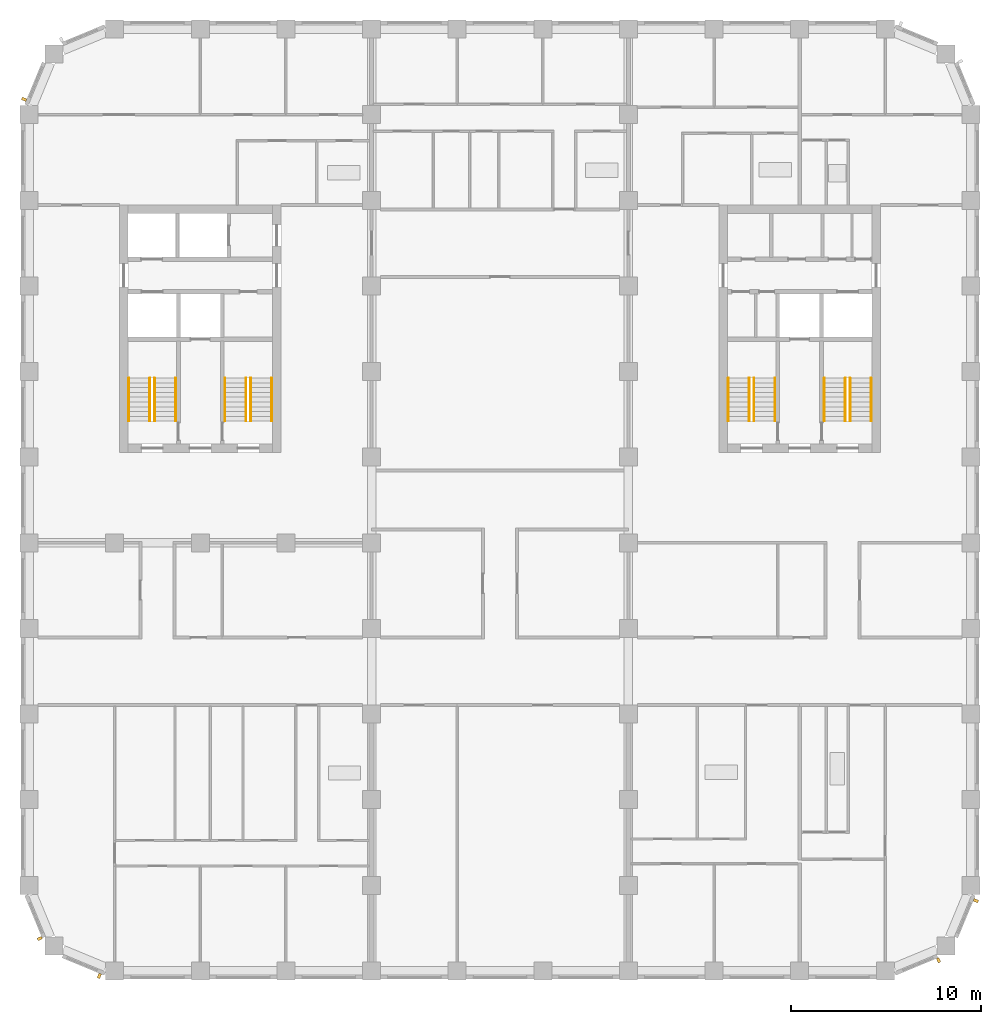
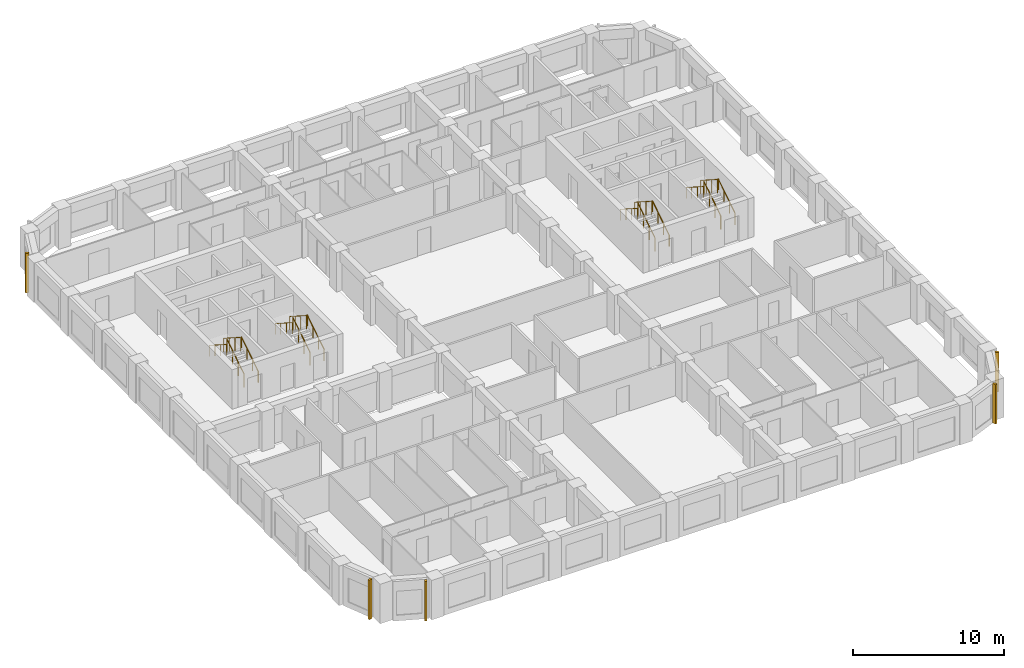
# One storey, part 11 of 13: 16 railings, 5 shading devices.
"""IFC4 building model written with IfcOpenShell, lengths in metres."""

from ifc_helpers import new_model, si_unit, direction, frame, origin, origin_2d, place, context, subcontext, project, spatial, rectangle, circle, extrude, material, type_object, element, save


model = new_model("IFC4")

# Units and contexts
model_context = context("Model", 3, precision=1e-05, world=origin(), true_north=direction((0.0, 1.0)))
body_context = subcontext(model_context, "Body", "Model", "MODEL_VIEW")
ifc_project = project(units=[si_unit("LENGTHUNIT", "METRE"), si_unit("AREAUNIT", "SQUARE_METRE"), si_unit("VOLUMEUNIT", "CUBIC_METRE"), si_unit("PLANEANGLEUNIT", "RADIAN"), si_unit("MASSUNIT", "GRAM", prefix="KILO")], contexts=[model_context])

# Site, building, storey
site_placement = place(None, origin())
site = spatial("IfcSite", under=ifc_project, at=site_placement, CompositionType="ELEMENT")
building_placement = place(site_placement, origin())
building = spatial("IfcBuilding", under=site, at=building_placement, Name="Girih Gate Residences", CompositionType="ELEMENT")
storey_placement = place(building_placement, frame((0.0, 0.0, 136.60009765625)))
storey = spatial("IfcBuildingStorey", under=building, at=storey_placement, Name="L38", CompositionType="ELEMENT", Elevation=136.60009765625)

# Shading devices
ifc_material_1 = material(Name="Precast concrete C50/60", Category="concrete")
shading_device_type = type_object("IfcShadingDeviceType", Name="Corner rib 150x250", PredefinedType="USERDEFINED", material=ifc_material_1)
for number, where, z_axis, x_axis, name in (
    (1, (0.562255859375, 1.705322265625, 0.0), (0.0, 0.0, 1.0), (0.382683432365, -0.923879532511, 0.0), "Corner rib SW0000_0045.0"),
    (2, (3.691650390625, -0.260498046875, 0.0), (0.0, 0.0, 1.0), (0.923879532511, -0.382683432365, 0.0), "Corner rib SW0013_0013.0"),
    (3, (47.794677734375, 0.562255859375, 0.0), (0.0, 0.0, 1.0), (0.923879532511, 0.382683432365, 0.0), "Corner rib SE0450_0000.0"),
    (4, (49.760498046875, 3.691650390625, 0.0), (0.0, 0.0, 1.0), (0.382683432365, 0.923879532511, 0.0), "Corner rib SE0482_0013.0"),
    (5, (-0.260498046875, 45.808349609375, 0.0), (0.0, 0.0, 1.0), (-0.382683432365, -0.923879532511, 0.0), "Corner rib NW0013_0482.0"),
):
    element("IfcShadingDevice", number, at=place(storey_placement, frame(where, z_axis=z_axis, x_axis=x_axis)), inside=storey, type_object=shading_device_type, Name=name, ObjectType="FIN", PredefinedType="USERDEFINED", context=body_context, shape_type="SweptSolid", body=[
        extrude(rectangle(XDim=0.14990234375, YDim=0.25, at=origin_2d()), origin(), (0.0, 0.0, 1.0), 3.199951171875),
    ])

# Railings
ifc_material_2 = material(Name="Stainless steel", Category="steel")
railing_type_1 = type_object("IfcRailingType", Name="Stair guard 1100", PredefinedType="GUARDRAIL", material=ifc_material_2)
railing_1_placement = place(storey_placement, frame((6.60009765625, 28.89990234375, 0.159912109375)))
element("IfcRailing", 6, at=railing_1_placement, inside=storey, type_object=railing_type_1, Name="L38 ST-W1 stair guard 1", PredefinedType="GUARDRAIL", context=body_context, shape_type="SweptSolid", body=[
    extrude(circle(Radius=0.02392578125, at=origin_2d()), frame((0.0, 0.0, 1.076171875), z_axis=(0.0, 0.842281359387, 0.539038135598), x_axis=(-1.0, 0.0, 0.0)), (0.0, 0.0, 1.0), 2.67138671875),
    extrude(circle(Radius=0.02099609375, at=origin_2d()), origin(), (0.0, 0.0, 1.0), 1.052001953125),
    extrude(circle(Radius=0.02099609375, at=origin_2d()), frame((0.0, 0.75, 0.47998046875)), (0.0, 0.0, 1.0), 1.052001953125),
    extrude(circle(Radius=0.02099609375, at=origin_2d()), frame((0.0, 1.5, 0.9599609375)), (0.0, 0.0, 1.0), 1.052001953125),
    extrude(circle(Radius=0.02099609375, at=origin_2d()), frame((0.0, 2.25, 1.43994140625)), (0.0, 0.0, 1.0), 1.052001953125),
])
railing_2_placement = place(storey_placement, frame((6.35009765625, 31.14990234375, 1.760009765625)))
element("IfcRailing", 7, at=railing_2_placement, inside=storey, type_object=railing_type_1, Name="L38 ST-W1 stair guard 2", PredefinedType="GUARDRAIL", context=body_context, shape_type="SweptSolid", body=[
    extrude(circle(Radius=0.02392578125, at=origin_2d()), frame((0.0, 0.0, 1.076171875), z_axis=(0.0, -0.842281359387, 0.539038135598), x_axis=(1.0, 0.0, 0.0)), (0.0, 0.0, 1.0), 2.67138671875),
    extrude(circle(Radius=0.02099609375, at=origin_2d()), origin(), (0.0, 0.0, 1.0), 1.052001953125),
    extrude(circle(Radius=0.02099609375, at=origin_2d()), frame((0.0, -0.75, 0.47998046875)), (0.0, 0.0, 1.0), 1.052001953125),
    extrude(circle(Radius=0.02099609375, at=origin_2d()), frame((0.0, -1.5, 0.9599609375)), (0.0, 0.0, 1.0), 1.052001953125),
    extrude(circle(Radius=0.02099609375, at=origin_2d()), frame((0.0, -2.25, 1.43994140625)), (0.0, 0.0, 1.0), 1.052001953125),
])
railing_3_placement = place(storey_placement, frame((11.64990234375, 28.89990234375, 0.159912109375)))
element("IfcRailing", 8, at=railing_3_placement, inside=storey, type_object=railing_type_1, Name="L38 ST-W2 stair guard 1", PredefinedType="GUARDRAIL", context=body_context, shape_type="SweptSolid", body=[
    extrude(circle(Radius=0.02392578125, at=origin_2d()), frame((0.0, 0.0, 1.076171875), z_axis=(0.0, 0.842281359387, 0.539038135598), x_axis=(-1.0, 0.0, 0.0)), (0.0, 0.0, 1.0), 2.67138671875),
    extrude(circle(Radius=0.02099609375, at=origin_2d()), origin(), (0.0, 0.0, 1.0), 1.052001953125),
    extrude(circle(Radius=0.02099609375, at=origin_2d()), frame((0.0, 0.75, 0.47998046875)), (0.0, 0.0, 1.0), 1.052001953125),
    extrude(circle(Radius=0.02099609375, at=origin_2d()), frame((0.0, 1.5, 0.9599609375)), (0.0, 0.0, 1.0), 1.052001953125),
    extrude(circle(Radius=0.02099609375, at=origin_2d()), frame((0.0, 2.25, 1.43994140625)), (0.0, 0.0, 1.0), 1.052001953125),
])
railing_4_placement = place(storey_placement, frame((11.39990234375, 31.14990234375, 1.760009765625)))
element("IfcRailing", 9, at=railing_4_placement, inside=storey, type_object=railing_type_1, Name="L38 ST-W2 stair guard 2", PredefinedType="GUARDRAIL", context=body_context, shape_type="SweptSolid", body=[
    extrude(circle(Radius=0.02392578125, at=origin_2d()), frame((0.0, 0.0, 1.076171875), z_axis=(0.0, -0.842281359387, 0.539038135598), x_axis=(1.0, 0.0, 0.0)), (0.0, 0.0, 1.0), 2.67138671875),
    extrude(circle(Radius=0.02099609375, at=origin_2d()), origin(), (0.0, 0.0, 1.0), 1.052001953125),
    extrude(circle(Radius=0.02099609375, at=origin_2d()), frame((0.0, -0.75, 0.47998046875)), (0.0, 0.0, 1.0), 1.052001953125),
    extrude(circle(Radius=0.02099609375, at=origin_2d()), frame((0.0, -1.5, 0.9599609375)), (0.0, 0.0, 1.0), 1.052001953125),
    extrude(circle(Radius=0.02099609375, at=origin_2d()), frame((0.0, -2.25, 1.43994140625)), (0.0, 0.0, 1.0), 1.052001953125),
])
railing_5_placement = place(storey_placement, frame((43.14990234375, 28.89990234375, 0.159912109375)))
element("IfcRailing", 10, at=railing_5_placement, inside=storey, type_object=railing_type_1, Name="L38 ST-E1 stair guard 1", PredefinedType="GUARDRAIL", context=body_context, shape_type="SweptSolid", body=[
    extrude(circle(Radius=0.02392578125, at=origin_2d()), frame((0.0, 0.0, 1.076171875), z_axis=(0.0, 0.842281359387, 0.539038135598), x_axis=(-1.0, 0.0, 0.0)), (0.0, 0.0, 1.0), 2.67138671875),
    extrude(circle(Radius=0.02099609375, at=origin_2d()), origin(), (0.0, 0.0, 1.0), 1.052001953125),
    extrude(circle(Radius=0.02099609375, at=origin_2d()), frame((0.0, 0.75, 0.47998046875)), (0.0, 0.0, 1.0), 1.052001953125),
    extrude(circle(Radius=0.02099609375, at=origin_2d()), frame((0.0, 1.5, 0.9599609375)), (0.0, 0.0, 1.0), 1.052001953125),
    extrude(circle(Radius=0.02099609375, at=origin_2d()), frame((0.0, 2.25, 1.43994140625)), (0.0, 0.0, 1.0), 1.052001953125),
])
railing_6_placement = place(storey_placement, frame((42.89990234375, 31.14990234375, 1.760009765625)))
element("IfcRailing", 11, at=railing_6_placement, inside=storey, type_object=railing_type_1, Name="L38 ST-E1 stair guard 2", PredefinedType="GUARDRAIL", context=body_context, shape_type="SweptSolid", body=[
    extrude(circle(Radius=0.02392578125, at=origin_2d()), frame((0.0, 0.0, 1.076171875), z_axis=(0.0, -0.842281359387, 0.539038135598), x_axis=(1.0, 0.0, 0.0)), (0.0, 0.0, 1.0), 2.67138671875),
    extrude(circle(Radius=0.02099609375, at=origin_2d()), origin(), (0.0, 0.0, 1.0), 1.052001953125),
    extrude(circle(Radius=0.02099609375, at=origin_2d()), frame((0.0, -0.75, 0.47998046875)), (0.0, 0.0, 1.0), 1.052001953125),
    extrude(circle(Radius=0.02099609375, at=origin_2d()), frame((0.0, -1.5, 0.9599609375)), (0.0, 0.0, 1.0), 1.052001953125),
    extrude(circle(Radius=0.02099609375, at=origin_2d()), frame((0.0, -2.25, 1.43994140625)), (0.0, 0.0, 1.0), 1.052001953125),
])
railing_7_placement = place(storey_placement, frame((38.10009765625, 28.89990234375, 0.159912109375)))
element("IfcRailing", 12, at=railing_7_placement, inside=storey, type_object=railing_type_1, Name="L38 ST-E2 stair guard 1", PredefinedType="GUARDRAIL", context=body_context, shape_type="SweptSolid", body=[
    extrude(circle(Radius=0.02392578125, at=origin_2d()), frame((0.0, 0.0, 1.076171875), z_axis=(0.0, 0.842281359387, 0.539038135598), x_axis=(-1.0, 0.0, 0.0)), (0.0, 0.0, 1.0), 2.67138671875),
    extrude(circle(Radius=0.02099609375, at=origin_2d()), origin(), (0.0, 0.0, 1.0), 1.052001953125),
    extrude(circle(Radius=0.02099609375, at=origin_2d()), frame((0.0, 0.75, 0.47998046875)), (0.0, 0.0, 1.0), 1.052001953125),
    extrude(circle(Radius=0.02099609375, at=origin_2d()), frame((0.0, 1.5, 0.9599609375)), (0.0, 0.0, 1.0), 1.052001953125),
    extrude(circle(Radius=0.02099609375, at=origin_2d()), frame((0.0, 2.25, 1.43994140625)), (0.0, 0.0, 1.0), 1.052001953125),
])
railing_8_placement = place(storey_placement, frame((37.85009765625, 31.14990234375, 1.760009765625)))
element("IfcRailing", 13, at=railing_8_placement, inside=storey, type_object=railing_type_1, Name="L38 ST-E2 stair guard 2", PredefinedType="GUARDRAIL", context=body_context, shape_type="SweptSolid", body=[
    extrude(circle(Radius=0.02392578125, at=origin_2d()), frame((0.0, 0.0, 1.076171875), z_axis=(0.0, -0.842281359387, 0.539038135598), x_axis=(1.0, 0.0, 0.0)), (0.0, 0.0, 1.0), 2.67138671875),
    extrude(circle(Radius=0.02099609375, at=origin_2d()), origin(), (0.0, 0.0, 1.0), 1.052001953125),
    extrude(circle(Radius=0.02099609375, at=origin_2d()), frame((0.0, -0.75, 0.47998046875)), (0.0, 0.0, 1.0), 1.052001953125),
    extrude(circle(Radius=0.02099609375, at=origin_2d()), frame((0.0, -1.5, 0.9599609375)), (0.0, 0.0, 1.0), 1.052001953125),
    extrude(circle(Radius=0.02099609375, at=origin_2d()), frame((0.0, -2.25, 1.43994140625)), (0.0, 0.0, 1.0), 1.052001953125),
])
railing_type_2 = type_object("IfcRailingType", Name="Stair handrail 900", PredefinedType="HANDRAIL", material=ifc_material_2)
railing_9_placement = place(storey_placement, frame((7.699951171875, 28.89990234375, 0.159912109375)))
element("IfcRailing", 14, at=railing_9_placement, inside=storey, type_object=railing_type_2, Name="L38 ST-W1 stair handrail 1", PredefinedType="HANDRAIL", context=body_context, shape_type="SweptSolid", body=[
    extrude(circle(Radius=0.02392578125, at=origin_2d()), frame((0.0, 0.0, 0.8857421875), z_axis=(0.0, 0.842281359387, 0.539038135598), x_axis=(-1.0, 0.0, 0.0)), (0.0, 0.0, 1.0), 2.67138671875),
    extrude(circle(Radius=0.02099609375, at=origin_2d()), origin(), (0.0, 0.0, 1.0), 0.86181640625),
    extrude(circle(Radius=0.02099609375, at=origin_2d()), frame((0.0, 0.75, 0.47998046875)), (0.0, 0.0, 1.0), 0.86181640625),
    extrude(circle(Radius=0.02099609375, at=origin_2d()), frame((0.0, 1.5, 0.9599609375)), (0.0, 0.0, 1.0), 0.86181640625),
    extrude(circle(Radius=0.02099609375, at=origin_2d()), frame((0.0, 2.25, 1.43994140625)), (0.0, 0.0, 1.0), 0.86181640625),
])
railing_10_placement = place(storey_placement, frame((5.25, 31.14990234375, 1.760009765625)))
element("IfcRailing", 15, at=railing_10_placement, inside=storey, type_object=railing_type_2, Name="L38 ST-W1 stair handrail 2", PredefinedType="HANDRAIL", context=body_context, shape_type="SweptSolid", body=[
    extrude(circle(Radius=0.02392578125, at=origin_2d()), frame((0.0, 0.0, 0.8857421875), z_axis=(0.0, -0.842281359387, 0.539038135598), x_axis=(1.0, 0.0, 0.0)), (0.0, 0.0, 1.0), 2.67138671875),
    extrude(circle(Radius=0.02099609375, at=origin_2d()), origin(), (0.0, 0.0, 1.0), 0.86181640625),
    extrude(circle(Radius=0.02099609375, at=origin_2d()), frame((0.0, -0.75, 0.47998046875)), (0.0, 0.0, 1.0), 0.86181640625),
    extrude(circle(Radius=0.02099609375, at=origin_2d()), frame((0.0, -1.5, 0.9599609375)), (0.0, 0.0, 1.0), 0.86181640625),
    extrude(circle(Radius=0.02099609375, at=origin_2d()), frame((0.0, -2.25, 1.43994140625)), (0.0, 0.0, 1.0), 0.86181640625),
])
railing_11_placement = place(storey_placement, frame((12.75, 28.89990234375, 0.159912109375)))
element("IfcRailing", 16, at=railing_11_placement, inside=storey, type_object=railing_type_2, Name="L38 ST-W2 stair handrail 1", PredefinedType="HANDRAIL", context=body_context, shape_type="SweptSolid", body=[
    extrude(circle(Radius=0.02392578125, at=origin_2d()), frame((0.0, 0.0, 0.8857421875), z_axis=(0.0, 0.842281359387, 0.539038135598), x_axis=(-1.0, 0.0, 0.0)), (0.0, 0.0, 1.0), 2.67138671875),
    extrude(circle(Radius=0.02099609375, at=origin_2d()), origin(), (0.0, 0.0, 1.0), 0.86181640625),
    extrude(circle(Radius=0.02099609375, at=origin_2d()), frame((0.0, 0.75, 0.47998046875)), (0.0, 0.0, 1.0), 0.86181640625),
    extrude(circle(Radius=0.02099609375, at=origin_2d()), frame((0.0, 1.5, 0.9599609375)), (0.0, 0.0, 1.0), 0.86181640625),
    extrude(circle(Radius=0.02099609375, at=origin_2d()), frame((0.0, 2.25, 1.43994140625)), (0.0, 0.0, 1.0), 0.86181640625),
])
railing_12_placement = place(storey_placement, frame((10.300048828125, 31.14990234375, 1.760009765625)))
element("IfcRailing", 17, at=railing_12_placement, inside=storey, type_object=railing_type_2, Name="L38 ST-W2 stair handrail 2", PredefinedType="HANDRAIL", context=body_context, shape_type="SweptSolid", body=[
    extrude(circle(Radius=0.02392578125, at=origin_2d()), frame((0.0, 0.0, 0.8857421875), z_axis=(0.0, -0.842281359387, 0.539038135598), x_axis=(1.0, 0.0, 0.0)), (0.0, 0.0, 1.0), 2.67138671875),
    extrude(circle(Radius=0.02099609375, at=origin_2d()), origin(), (0.0, 0.0, 1.0), 0.86181640625),
    extrude(circle(Radius=0.02099609375, at=origin_2d()), frame((0.0, -0.75, 0.47998046875)), (0.0, 0.0, 1.0), 0.86181640625),
    extrude(circle(Radius=0.02099609375, at=origin_2d()), frame((0.0, -1.5, 0.9599609375)), (0.0, 0.0, 1.0), 0.86181640625),
    extrude(circle(Radius=0.02099609375, at=origin_2d()), frame((0.0, -2.25, 1.43994140625)), (0.0, 0.0, 1.0), 0.86181640625),
])
railing_13_placement = place(storey_placement, frame((44.25, 28.89990234375, 0.159912109375)))
element("IfcRailing", 18, at=railing_13_placement, inside=storey, type_object=railing_type_2, Name="L38 ST-E1 stair handrail 1", PredefinedType="HANDRAIL", context=body_context, shape_type="SweptSolid", body=[
    extrude(circle(Radius=0.02392578125, at=origin_2d()), frame((0.0, 0.0, 0.8857421875), z_axis=(0.0, 0.842281359387, 0.539038135598), x_axis=(-1.0, 0.0, 0.0)), (0.0, 0.0, 1.0), 2.67138671875),
    extrude(circle(Radius=0.02099609375, at=origin_2d()), origin(), (0.0, 0.0, 1.0), 0.86181640625),
    extrude(circle(Radius=0.02099609375, at=origin_2d()), frame((0.0, 0.75, 0.47998046875)), (0.0, 0.0, 1.0), 0.86181640625),
    extrude(circle(Radius=0.02099609375, at=origin_2d()), frame((0.0, 1.5, 0.9599609375)), (0.0, 0.0, 1.0), 0.86181640625),
    extrude(circle(Radius=0.02099609375, at=origin_2d()), frame((0.0, 2.25, 1.43994140625)), (0.0, 0.0, 1.0), 0.86181640625),
])
railing_14_placement = place(storey_placement, frame((41.800048828125, 31.14990234375, 1.760009765625)))
element("IfcRailing", 19, at=railing_14_placement, inside=storey, type_object=railing_type_2, Name="L38 ST-E1 stair handrail 2", PredefinedType="HANDRAIL", context=body_context, shape_type="SweptSolid", body=[
    extrude(circle(Radius=0.02392578125, at=origin_2d()), frame((0.0, 0.0, 0.8857421875), z_axis=(0.0, -0.842281359387, 0.539038135598), x_axis=(1.0, 0.0, 0.0)), (0.0, 0.0, 1.0), 2.67138671875),
    extrude(circle(Radius=0.02099609375, at=origin_2d()), origin(), (0.0, 0.0, 1.0), 0.86181640625),
    extrude(circle(Radius=0.02099609375, at=origin_2d()), frame((0.0, -0.75, 0.47998046875)), (0.0, 0.0, 1.0), 0.86181640625),
    extrude(circle(Radius=0.02099609375, at=origin_2d()), frame((0.0, -1.5, 0.9599609375)), (0.0, 0.0, 1.0), 0.86181640625),
    extrude(circle(Radius=0.02099609375, at=origin_2d()), frame((0.0, -2.25, 1.43994140625)), (0.0, 0.0, 1.0), 0.86181640625),
])
railing_15_placement = place(storey_placement, frame((39.199951171875, 28.89990234375, 0.159912109375)))
element("IfcRailing", 20, at=railing_15_placement, inside=storey, type_object=railing_type_2, Name="L38 ST-E2 stair handrail 1", PredefinedType="HANDRAIL", context=body_context, shape_type="SweptSolid", body=[
    extrude(circle(Radius=0.02392578125, at=origin_2d()), frame((0.0, 0.0, 0.8857421875), z_axis=(0.0, 0.842281359387, 0.539038135598), x_axis=(-1.0, 0.0, 0.0)), (0.0, 0.0, 1.0), 2.67138671875),
    extrude(circle(Radius=0.02099609375, at=origin_2d()), origin(), (0.0, 0.0, 1.0), 0.86181640625),
    extrude(circle(Radius=0.02099609375, at=origin_2d()), frame((0.0, 0.75, 0.47998046875)), (0.0, 0.0, 1.0), 0.86181640625),
    extrude(circle(Radius=0.02099609375, at=origin_2d()), frame((0.0, 1.5, 0.9599609375)), (0.0, 0.0, 1.0), 0.86181640625),
    extrude(circle(Radius=0.02099609375, at=origin_2d()), frame((0.0, 2.25, 1.43994140625)), (0.0, 0.0, 1.0), 0.86181640625),
])
railing_16_placement = place(storey_placement, frame((36.75, 31.14990234375, 1.760009765625)))
element("IfcRailing", 21, at=railing_16_placement, inside=storey, type_object=railing_type_2, Name="L38 ST-E2 stair handrail 2", PredefinedType="HANDRAIL", context=body_context, shape_type="SweptSolid", body=[
    extrude(circle(Radius=0.02392578125, at=origin_2d()), frame((0.0, 0.0, 0.8857421875), z_axis=(0.0, -0.842281359387, 0.539038135598), x_axis=(1.0, 0.0, 0.0)), (0.0, 0.0, 1.0), 2.67138671875),
    extrude(circle(Radius=0.02099609375, at=origin_2d()), origin(), (0.0, 0.0, 1.0), 0.86181640625),
    extrude(circle(Radius=0.02099609375, at=origin_2d()), frame((0.0, -0.75, 0.47998046875)), (0.0, 0.0, 1.0), 0.86181640625),
    extrude(circle(Radius=0.02099609375, at=origin_2d()), frame((0.0, -1.5, 0.9599609375)), (0.0, 0.0, 1.0), 0.86181640625),
    extrude(circle(Radius=0.02099609375, at=origin_2d()), frame((0.0, -2.25, 1.43994140625)), (0.0, 0.0, 1.0), 0.86181640625),
])

save(model, "model.ifc")
